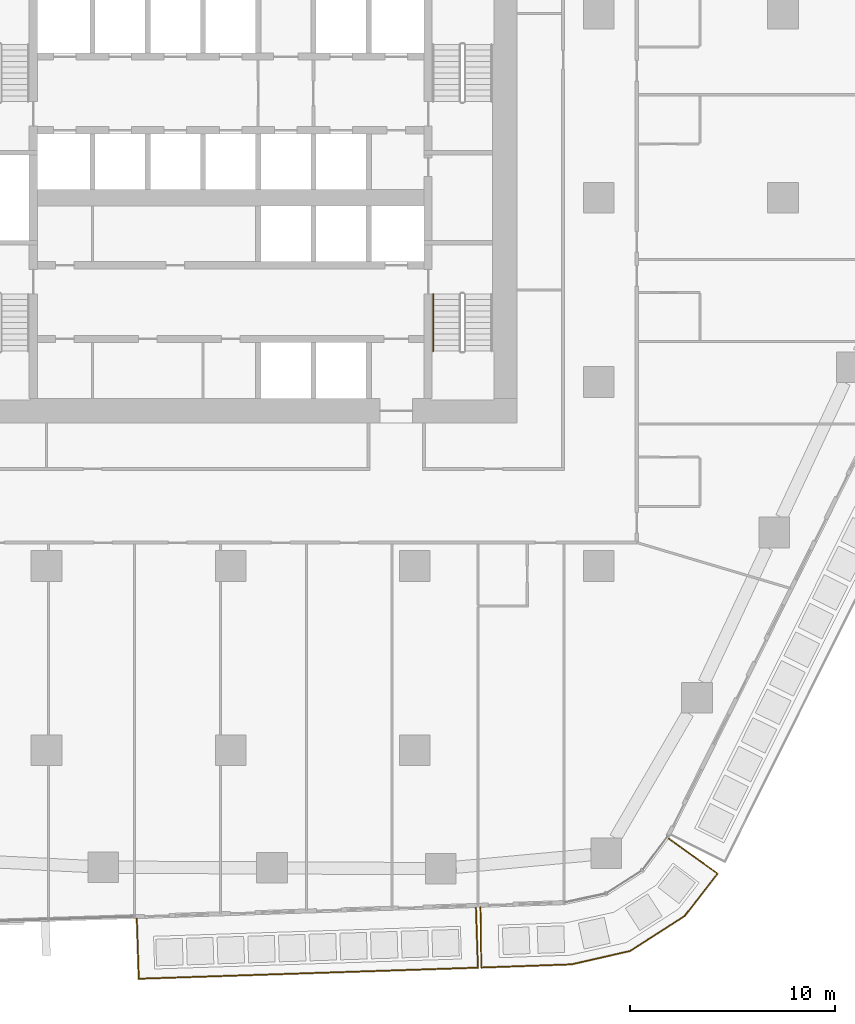
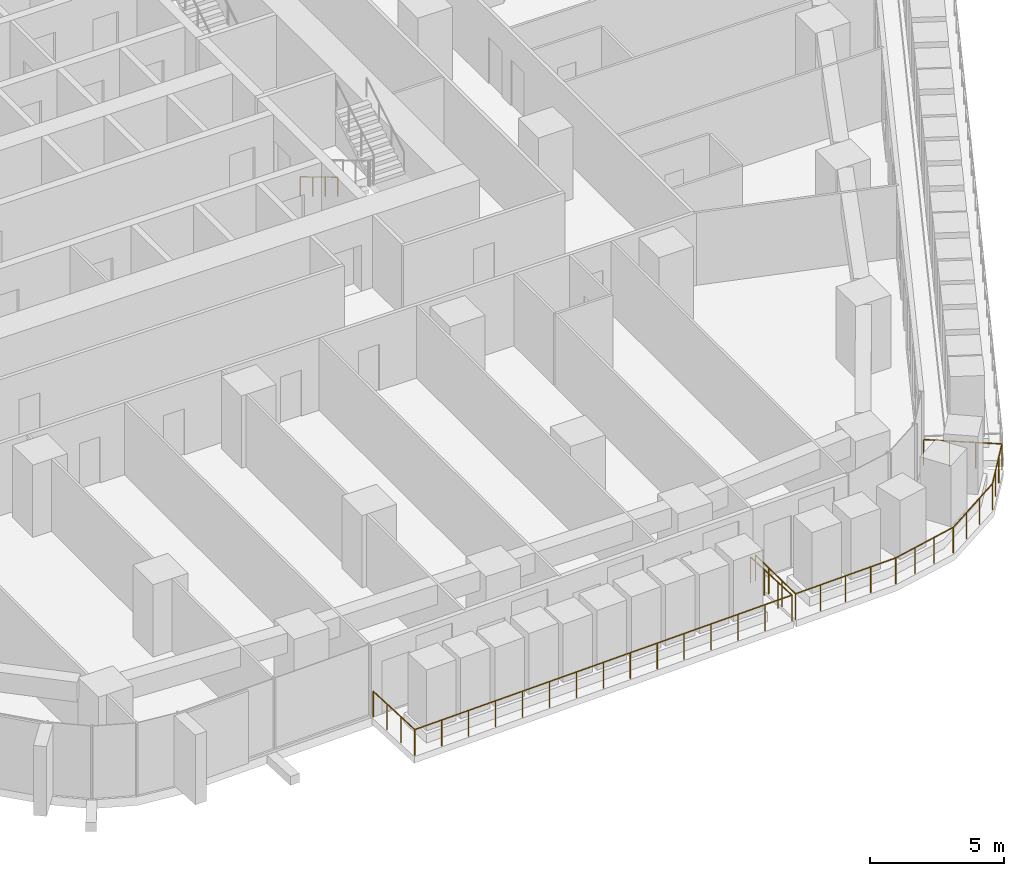
# One storey, part 23 of 27: 3 railings.
"""IFC4 building model written with IfcOpenShell, lengths in metres."""

from ifc_helpers import new_model, si_unit, direction, frame, origin, origin_2d, place, context, subcontext, project, spatial, circle, extrude, material, type_object, element, save


model = new_model("IFC4")

# Units and contexts
model_context = context("Model", 3, precision=1e-05, world=origin(), true_north=direction((0.0, 1.0)))
body_context = subcontext(model_context, "Body", "Model", "MODEL_VIEW")
ifc_project = project(units=[si_unit("LENGTHUNIT", "METRE"), si_unit("AREAUNIT", "SQUARE_METRE"), si_unit("VOLUMEUNIT", "CUBIC_METRE"), si_unit("PLANEANGLEUNIT", "RADIAN"), si_unit("MASSUNIT", "GRAM", prefix="KILO")], contexts=[model_context])

# Site, building, storey
site_placement = place(None, origin())
site = spatial("IfcSite", under=ifc_project, at=site_placement, CompositionType="ELEMENT")
building_placement = place(site_placement, origin())
building = spatial("IfcBuilding", under=site, at=building_placement, Name="Dongbaek Canopy Tower", CompositionType="ELEMENT")
storey_placement = place(building_placement, frame((0.0, 0.0, 58.800048828125)))
storey = spatial("IfcBuildingStorey", under=building, at=storey_placement, Name="L10", CompositionType="ELEMENT", Elevation=58.800048828125)

# Railings
ifc_material_1 = material(Name="Stainless steel", Category="steel")
railing_type_1 = type_object("IfcRailingType", Name="Balcony balustrade 1200", PredefinedType="BALUSTRADE", material=ifc_material_1)
railing_1_placement = place(storey_placement, frame((-4.583251953125, -35.232177734375, 0.0)))
element("IfcRailing", 1, at=railing_1_placement, inside=storey, type_object=railing_type_1, Name="Balcony guard L10 4", PredefinedType="BALUSTRADE", context=body_context, shape_type="SweptSolid", body=[
    extrude(circle(Radius=0.02392578125, at=origin_2d()), frame((0.0, 0.0, 1.17578125), z_axis=(0.032634651689, -0.999467347895, 0.0), x_axis=(0.999467347895, 0.032634651689, 0.0)), (0.0, 0.0, 1.0), 2.93994140625),
    extrude(circle(Radius=0.02392578125, at=origin_2d()), frame((0.095947265625, -2.9384765625, 1.17578125), z_axis=(0.999466777568, 0.032652113837, 0.0), x_axis=(-0.032652113837, 0.999466777568, 0.0)), (0.0, 0.0, 1.0), 16.583984375),
    extrude(circle(Radius=0.02392578125, at=origin_2d()), frame((16.671142578125, -2.39697265625, 1.17578125), z_axis=(-0.032637360446, 0.999467259445, 0.0), x_axis=(-0.999467259445, -0.032637360446, 0.0)), (0.0, 0.0, 1.0), 2.939697265625),
    extrude(circle(Radius=0.02099609375, at=origin_2d()), origin(), (0.0, 0.0, 1.0), 1.15185546875),
    extrude(circle(Radius=0.02099609375, at=origin_2d()), frame((0.031982421875, -0.9794921875, 0.0)), (0.0, 0.0, 1.0), 1.15185546875),
    extrude(circle(Radius=0.02099609375, at=origin_2d()), frame((0.06396484375, -1.958984375, 0.0)), (0.0, 0.0, 1.0), 1.15185546875),
    extrude(circle(Radius=0.02099609375, at=origin_2d()), frame((0.095947265625, -2.9384765625, 0.0)), (0.0, 0.0, 1.0), 1.15185546875),
    extrude(circle(Radius=0.02099609375, at=origin_2d()), frame((1.27978515625, -2.89990234375, 0.0)), (0.0, 0.0, 1.0), 1.15185546875),
    extrude(circle(Radius=0.02099609375, at=origin_2d()), frame((2.4638671875, -2.861083984375, 0.0)), (0.0, 0.0, 1.0), 1.15185546875),
    extrude(circle(Radius=0.02099609375, at=origin_2d()), frame((3.647705078125, -2.822509765625, 0.0)), (0.0, 0.0, 1.0), 1.15185546875),
    extrude(circle(Radius=0.02099609375, at=origin_2d()), frame((4.831787109375, -2.78369140625, 0.0)), (0.0, 0.0, 1.0), 1.15185546875),
    extrude(circle(Radius=0.02099609375, at=origin_2d()), frame((6.015625, -2.7451171875, 0.0)), (0.0, 0.0, 1.0), 1.15185546875),
    extrude(circle(Radius=0.02099609375, at=origin_2d()), frame((7.19970703125, -2.706298828125, 0.0)), (0.0, 0.0, 1.0), 1.15185546875),
    extrude(circle(Radius=0.02099609375, at=origin_2d()), frame((8.383544921875, -2.667724609375, 0.0)), (0.0, 0.0, 1.0), 1.15185546875),
    extrude(circle(Radius=0.02099609375, at=origin_2d()), frame((9.5673828125, -2.629150390625, 0.0)), (0.0, 0.0, 1.0), 1.15185546875),
    extrude(circle(Radius=0.02099609375, at=origin_2d()), frame((10.75146484375, -2.59033203125, 0.0)), (0.0, 0.0, 1.0), 1.15185546875),
    extrude(circle(Radius=0.02099609375, at=origin_2d()), frame((11.935302734375, -2.5517578125, 0.0)), (0.0, 0.0, 1.0), 1.15185546875),
    extrude(circle(Radius=0.02099609375, at=origin_2d()), frame((13.119384765625, -2.512939453125, 0.0)), (0.0, 0.0, 1.0), 1.15185546875),
    extrude(circle(Radius=0.02099609375, at=origin_2d()), frame((14.30322265625, -2.474365234375, 0.0)), (0.0, 0.0, 1.0), 1.15185546875),
    extrude(circle(Radius=0.02099609375, at=origin_2d()), frame((15.4873046875, -2.435546875, 0.0)), (0.0, 0.0, 1.0), 1.15185546875),
    extrude(circle(Radius=0.02099609375, at=origin_2d()), frame((16.671142578125, -2.39697265625, 0.0)), (0.0, 0.0, 1.0), 1.15185546875),
    extrude(circle(Radius=0.02099609375, at=origin_2d()), frame((16.63916015625, -1.41748046875, 0.0)), (0.0, 0.0, 1.0), 1.15185546875),
    extrude(circle(Radius=0.02099609375, at=origin_2d()), frame((16.607177734375, -0.438232421875, 0.0)), (0.0, 0.0, 1.0), 1.15185546875),
    extrude(circle(Radius=0.02099609375, at=origin_2d()), frame((16.5751953125, 0.541259765625, 0.0)), (0.0, 0.0, 1.0), 1.15185546875),
])
railing_2_placement = place(storey_placement, frame((12.2119140625, -34.68359375, 0.0)))
element("IfcRailing", 2, at=railing_2_placement, inside=storey, type_object=railing_type_1, Name="Balcony guard L10 8", PredefinedType="BALUSTRADE", context=body_context, shape_type="SweptSolid", body=[
    extrude(circle(Radius=0.02392578125, at=origin_2d()), frame((0.0, 0.0, 1.17578125), z_axis=(0.012204338432, -0.999925524288, 0.0), x_axis=(0.999925524288, 0.012204338432, 0.0)), (0.0, 0.0, 1.0), 2.940673828125),
    extrude(circle(Radius=0.02392578125, at=origin_2d()), frame((0.035888671875, -2.9404296875, 1.17578125), z_axis=(0.999375333331, 0.035340389485, 0.0), x_axis=(-0.035340389485, 0.999375333331, 0.0)), (0.0, 0.0, 1.0), 4.414306640625),
    extrude(circle(Radius=0.02392578125, at=origin_2d()), frame((4.447509765625, -2.784423828125, 1.17578125), z_axis=(0.974995929729, 0.222222719386, 0.0), x_axis=(-0.222222719386, 0.974995929729, 0.0)), (0.0, 0.0, 1.0), 2.928955078125),
    extrude(circle(Radius=0.02392578125, at=origin_2d()), frame((7.30322265625, -2.133544921875, 1.17578125), z_axis=(0.841499110027, 0.540258500926, 0.0), x_axis=(-0.540258500926, 0.841499110027, 0.0)), (0.0, 0.0, 1.0), 3.18994140625),
    extrude(circle(Radius=0.02392578125, at=origin_2d()), frame((9.987548828125, -0.41015625, 1.17578125), z_axis=(0.612602276133, 0.790391327936, 0.0), x_axis=(-0.790391327936, 0.612602276133, 0.0)), (0.0, 0.0, 1.0), 2.615966796875),
    extrude(circle(Radius=0.02392578125, at=origin_2d()), frame((11.590087890625, 1.657470703125, 1.17578125), z_axis=(-0.813374298496, 0.581740707314, 0.0), x_axis=(-0.581740707314, -0.813374298496, 0.0)), (0.0, 0.0, 1.0), 2.940673828125),
    extrude(circle(Radius=0.02099609375, at=origin_2d()), origin(), (0.0, 0.0, 1.0), 1.15185546875),
    extrude(circle(Radius=0.02099609375, at=origin_2d()), frame((0.011962890625, -0.980224609375, 0.0)), (0.0, 0.0, 1.0), 1.15185546875),
    extrude(circle(Radius=0.02099609375, at=origin_2d()), frame((0.02392578125, -1.960205078125, 0.0)), (0.0, 0.0, 1.0), 1.15185546875),
    extrude(circle(Radius=0.02099609375, at=origin_2d()), frame((0.035888671875, -2.9404296875, 0.0)), (0.0, 0.0, 1.0), 1.15185546875),
    extrude(circle(Radius=0.02099609375, at=origin_2d()), frame((1.138671875, -2.9013671875, 0.0)), (0.0, 0.0, 1.0), 1.15185546875),
    extrude(circle(Radius=0.02099609375, at=origin_2d()), frame((2.24169921875, -2.8623046875, 0.0)), (0.0, 0.0, 1.0), 1.15185546875),
    extrude(circle(Radius=0.02099609375, at=origin_2d()), frame((3.3447265625, -2.823486328125, 0.0)), (0.0, 0.0, 1.0), 1.15185546875),
    extrude(circle(Radius=0.02099609375, at=origin_2d()), frame((4.447509765625, -2.784423828125, 0.0)), (0.0, 0.0, 1.0), 1.15185546875),
    extrude(circle(Radius=0.02099609375, at=origin_2d()), frame((5.3994140625, -2.5673828125, 0.0)), (0.0, 0.0, 1.0), 1.15185546875),
    extrude(circle(Radius=0.02099609375, at=origin_2d()), frame((6.351318359375, -2.3505859375, 0.0)), (0.0, 0.0, 1.0), 1.15185546875),
    extrude(circle(Radius=0.02099609375, at=origin_2d()), frame((7.30322265625, -2.133544921875, 0.0)), (0.0, 0.0, 1.0), 1.15185546875),
    extrude(circle(Radius=0.02099609375, at=origin_2d()), frame((8.197998046875, -1.55908203125, 0.0)), (0.0, 0.0, 1.0), 1.15185546875),
    extrude(circle(Radius=0.02099609375, at=origin_2d()), frame((9.0927734375, -0.984619140625, 0.0)), (0.0, 0.0, 1.0), 1.15185546875),
    extrude(circle(Radius=0.02099609375, at=origin_2d()), frame((9.987548828125, -0.41015625, 0.0)), (0.0, 0.0, 1.0), 1.15185546875),
    extrude(circle(Radius=0.02099609375, at=origin_2d()), frame((10.521728515625, 0.279052734375, 0.0)), (0.0, 0.0, 1.0), 1.15185546875),
    extrude(circle(Radius=0.02099609375, at=origin_2d()), frame((11.055908203125, 0.96826171875, 0.0)), (0.0, 0.0, 1.0), 1.15185546875),
    extrude(circle(Radius=0.02099609375, at=origin_2d()), frame((11.590087890625, 1.657470703125, 0.0)), (0.0, 0.0, 1.0), 1.15185546875),
    extrude(circle(Radius=0.02099609375, at=origin_2d()), frame((10.792724609375, 2.227783203125, 0.0)), (0.0, 0.0, 1.0), 1.15185546875),
    extrude(circle(Radius=0.02099609375, at=origin_2d()), frame((9.99560546875, 2.7978515625, 0.0)), (0.0, 0.0, 1.0), 1.15185546875),
    extrude(circle(Radius=0.02099609375, at=origin_2d()), frame((9.1982421875, 3.3681640625, 0.0)), (0.0, 0.0, 1.0), 1.15185546875),
])
ifc_material_2 = material(Name="Stainless steel tube", Category="steel")
railing_type_2 = type_object("IfcRailingType", Name="Stair handrail 900", PredefinedType="HANDRAIL", material=ifc_material_2)
railing_3_placement = place(storey_placement, frame((9.89990234375, -4.699951171875, 0.168212890625)))
element("IfcRailing", 3, at=railing_3_placement, inside=storey, type_object=railing_type_2, Name="L10 ST-B stair handrail 1", PredefinedType="HANDRAIL", context=body_context, shape_type="SweptSolid", body=[
    extrude(circle(Radius=0.02392578125, at=origin_2d()), frame((0.0, 0.0, 0.8759765625), z_axis=(0.0, -0.857275202839, 0.514858452973), x_axis=(1.0, 0.0, 0.0)), (0.0, 0.0, 1.0), 3.26611328125),
    extrude(circle(Radius=0.02099609375, at=origin_2d()), origin(), (0.0, 0.0, 1.0), 0.851806640625),
    extrude(circle(Radius=0.02099609375, at=origin_2d()), frame((0.0, -0.933349609375, 0.560546875)), (0.0, 0.0, 1.0), 0.851806640625),
    extrude(circle(Radius=0.02099609375, at=origin_2d()), frame((0.0, -1.86669921875, 1.12109375)), (0.0, 0.0, 1.0), 0.851806640625),
    extrude(circle(Radius=0.02099609375, at=origin_2d()), frame((0.0, -2.800048828125, 1.681640625)), (0.0, 0.0, 1.0), 0.851806640625),
])

save(model, "model.ifc")
